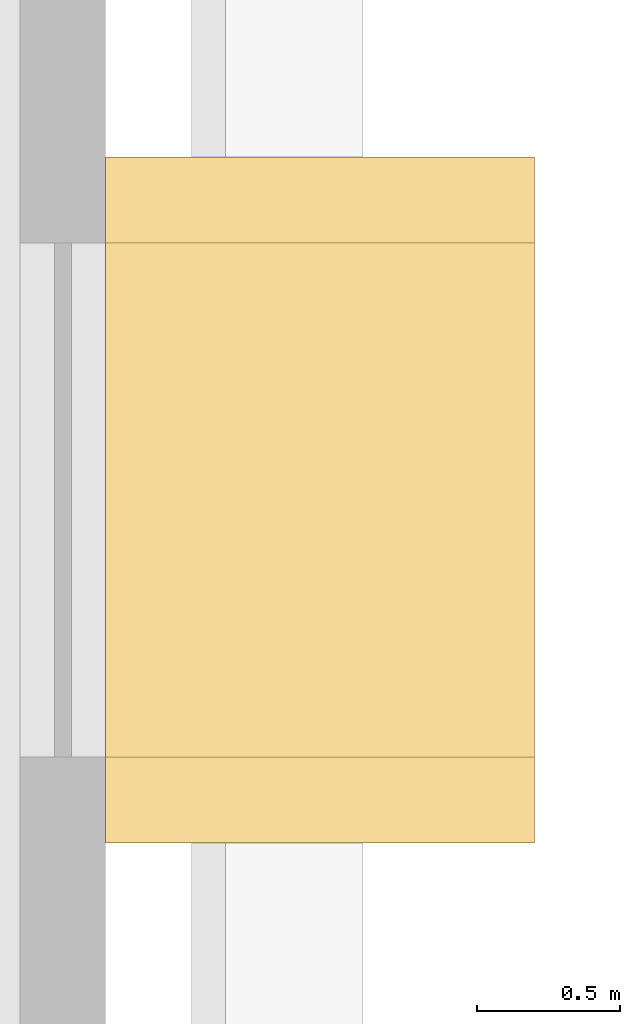
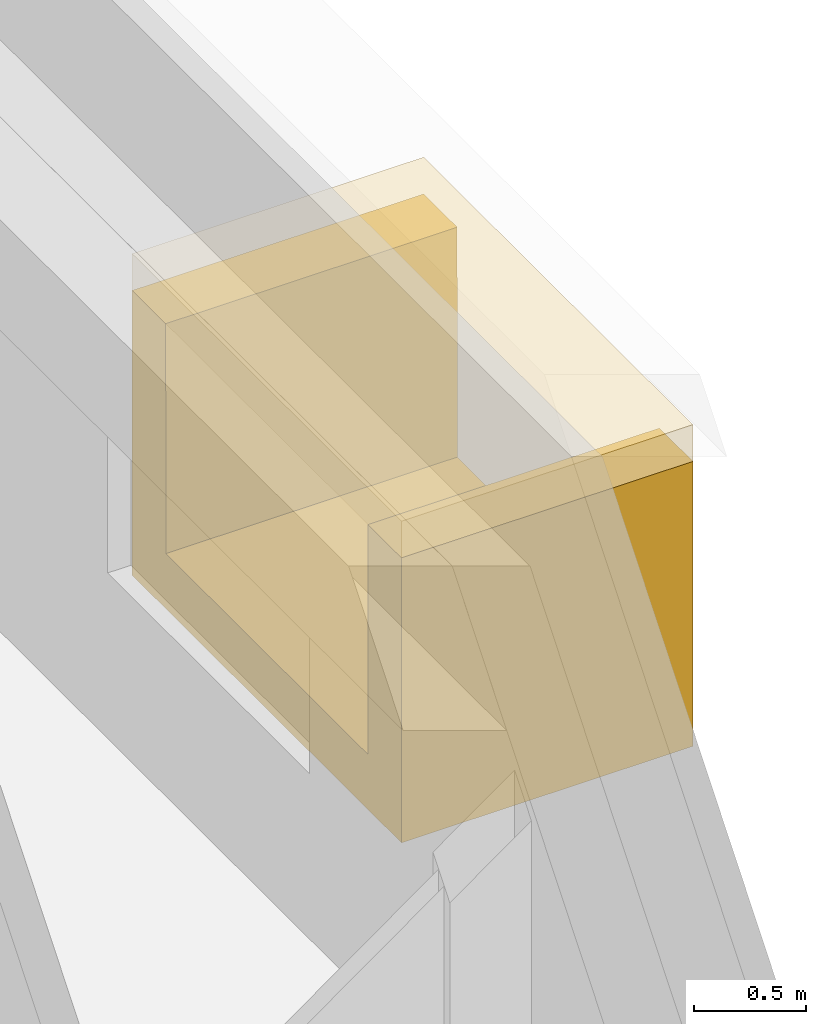
# One storey, part 12 of 12: 2 coverings.
"""IFC4 building model written with IfcOpenShell, lengths in metres."""

from ifc_helpers import new_model, si_unit, direction, frame, origin, origin_2d, place, context, subcontext, project, spatial, polyline, rectangle, outline, extrude, material, layer, layer_set, type_object, element, save


model = new_model("IFC4")

# Units and contexts
model_context = context("Model", 3, precision=1e-05, world=origin(), true_north=direction((0.0, 1.0)))
body_context = subcontext(model_context, "Body", "Model", "MODEL_VIEW")
ifc_project = project(units=[si_unit("LENGTHUNIT", "METRE"), si_unit("AREAUNIT", "SQUARE_METRE"), si_unit("VOLUMEUNIT", "CUBIC_METRE"), si_unit("PLANEANGLEUNIT", "RADIAN"), si_unit("MASSUNIT", "GRAM", prefix="KILO")], contexts=[model_context])

# Site, building, storey
site_placement = place(None, origin())
site = spatial("IfcSite", under=ifc_project, at=site_placement, CompositionType="ELEMENT")
building_placement = place(site_placement, origin())
building = spatial("IfcBuilding", under=site, at=building_placement, Name="Kiln Ring Residences", CompositionType="ELEMENT")
storey_placement = place(building_placement, frame((0.0, 0.0, 310.39990234375)))
storey = spatial("IfcBuildingStorey", under=building, at=storey_placement, Name="L80 Crown", CompositionType="ELEMENT", Elevation=310.39990234375)

# Coverings
ifc_material_1 = material(Name="Brick masonry, dark clay brick", Category="masonry")
ifc_layer_1 = layer(ifc_material_1, 0.300048828125)
ifc_layer_set_1 = layer_set([ifc_layer_1], Name="FRAME CHEEKS AND SILL 1500")
covering_type_1 = type_object("IfcCoveringType", Name="FRAME CHEEKS AND SILL 1500", PredefinedType="CLADDING", material=ifc_layer_set_1)
covering_1_placement = place(storey_placement, frame((-14.25, 14.83740234375, 0.60009765625), z_axis=(0.0, 0.0, 1.0), x_axis=(0.0, 1.0, 0.0)))
element("IfcCovering", 1, at=covering_1_placement, inside=storey, type_object=covering_type_1, Name="FRAME L80 Crown", PredefinedType="CLADDING", context=body_context, shape_type="SweptSolid", body=[
    extrude(outline(polyline([(0.0, 0.0), (2.400146484375, 0.0), (2.39990234375, 1.550048828125), (2.10107421875, 1.550048828125), (2.10009765625, 0.300048828125), (0.300048828125, 0.300048828125), (0.299072265625, 1.550048828125), (0.0, 1.550048828125), (0.0, 0.0)])), frame((0.0, 0.75, 0.0), z_axis=(0.0, -1.0, 0.0), x_axis=(1.0, 0.0, 0.0)), (0.0, 0.0, 1.0), 1.5),
])
ifc_material_2 = material(Name="Brick masonry, dark clay brick", Category="masonry")
ifc_layer_2 = layer(ifc_material_2, 0.199951171875)
ifc_layer_set_2 = layer_set([ifc_layer_2], Name="FRAME HEAD 1500")
covering_type_2 = type_object("IfcCoveringType", Name="FRAME HEAD 1500", PredefinedType="CLADDING", material=ifc_layer_set_2)
covering_2_placement = place(storey_placement, frame((-14.25, 16.03759765625, 2.14990234375), z_axis=(0.0, 0.0, 1.0), x_axis=(0.0, 1.0, 0.0)))
element("IfcCovering", 2, at=covering_2_placement, inside=storey, type_object=covering_type_2, Name="FRAME HEAD L80 Crown", PredefinedType="CLADDING", context=body_context, shape_type="SweptSolid", body=[
    extrude(rectangle(XDim=2.39990234375, YDim=1.5, at=origin_2d()), origin(), (0.0, 0.0, 1.0), 0.199951171875),
])

save(model, "model.ifc")
